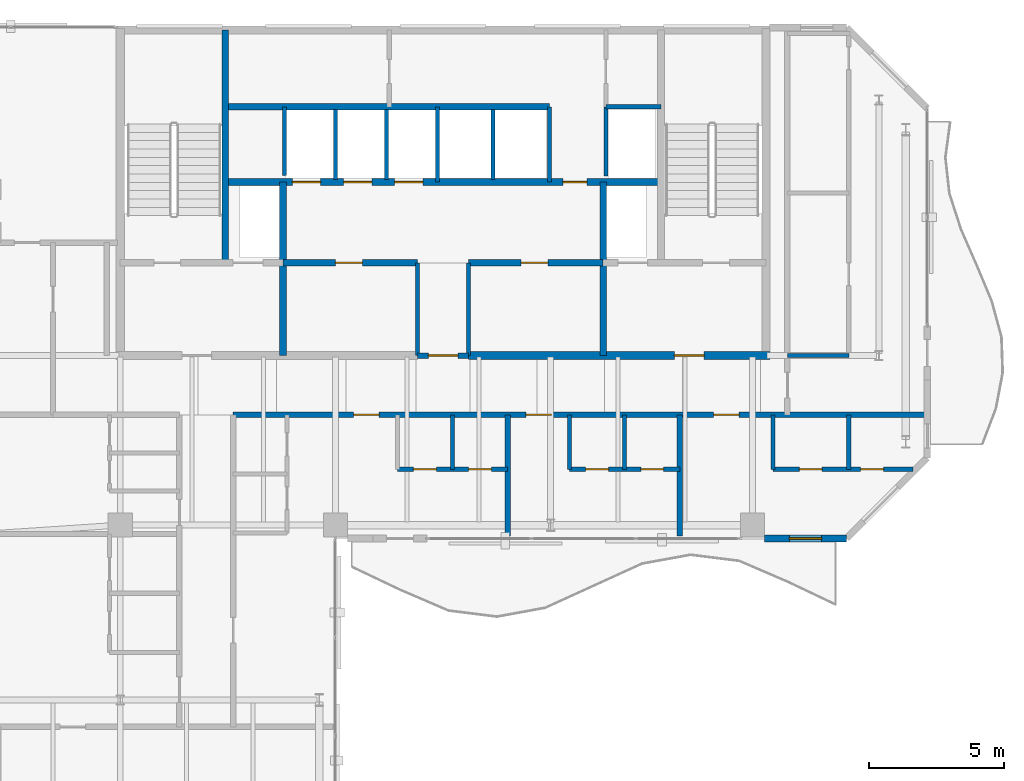
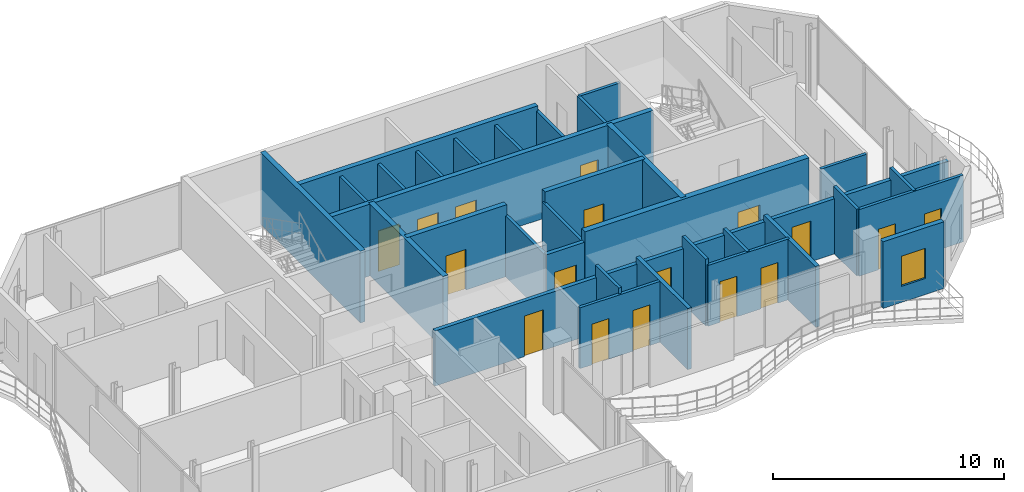
# One storey, part 19 of 22: 32 walls, 17 doors, 1 window, 18 openings.
"""IFC4 building model written with IfcOpenShell, lengths in metres."""

from ifc_helpers import new_model, si_unit, direction, frame, frame_2d, origin, place, context, subcontext, project, spatial, rectangle, extrude, material, layer, layer_set, type_object, element, fill, save


model = new_model("IFC4")

# Units and contexts
model_context = context("Model", 3, precision=1e-05, world=origin(), true_north=direction((0.0, 1.0)))
body_context = subcontext(model_context, "Body", "Model", "MODEL_VIEW")
ifc_project = project(units=[si_unit("LENGTHUNIT", "METRE"), si_unit("AREAUNIT", "SQUARE_METRE"), si_unit("VOLUMEUNIT", "CUBIC_METRE"), si_unit("PLANEANGLEUNIT", "RADIAN"), si_unit("MASSUNIT", "GRAM", prefix="KILO")], contexts=[model_context])

# Site, building, storey
site_placement = place(None, origin())
site = spatial("IfcSite", under=ifc_project, at=site_placement, CompositionType="ELEMENT")
building_placement = place(site_placement, origin())
building = spatial("IfcBuilding", under=site, at=building_placement, Name="Catumbela Crestline Tower", CompositionType="ELEMENT")
storey_placement = place(building_placement, frame((0.0, 0.0, 233.6)))
storey = spatial("IfcBuildingStorey", under=building, at=storey_placement, Name="L60", CompositionType="ELEMENT", Elevation=233.6)

# Walls
ifc_material_1 = material(Name="Concrete C50/60", Category="concrete")
ifc_layer_1 = layer(ifc_material_1, 0.25, Name="Concrete C50/60")
ifc_layer_set_1 = layer_set([ifc_layer_1], Name="Concrete C50/60")
wall_type_1 = type_object("IfcWallType", Name="CW-250D", PredefinedType="SHEAR", material=ifc_layer_set_1)
wall_1_placement = place(storey_placement, frame((19.9, 34.25, 0.0), z_axis=(0.0, 0.0, 1.0), x_axis=(0.0, 1.0, 0.0)))
element("IfcWall", 1, at=wall_1_placement, inside=storey, type_object=wall_type_1, Name="L60 Structural Core Shear Wall WWEB", PredefinedType="SHEAR", context=body_context, shape_type="SweptSolid", body=[
    extrude(rectangle(XDim=8.65, YDim=0.25, at=frame_2d((4.325, 0.0))), origin(), (0.0, 0.0, 1.0), 3.8),
])
for number, where, z_axis, x_axis, name in (
    (2, (22.05, 30.8, 0.0), (0.0, 0.0, 1.0), (0.0, 1.0, 0.0), "L60 Structural Core Shear Wall FFW"),
    (3, (33.95, 30.8, 0.0), (0.0, 0.0, 1.0), (0.0, 1.0, 0.0), "L60 Structural Core Shear Wall FFE"),
):
    element("IfcWall", number, at=place(storey_placement, frame(where, z_axis=z_axis, x_axis=x_axis)), inside=storey, type_object=wall_type_1, Name=name, PredefinedType="SHEAR", context=body_context, shape_type="SweptSolid", body=[
        extrude(rectangle(XDim=6.45, YDim=0.25, at=frame_2d((3.225, 0.0))), origin(), (0.0, 0.0, 1.0), 3.8),
    ])

# Wall, opening, door
wall_2_placement = place(storey_placement, frame((22.05, 34.25, 0.0), z_axis=(0.0, 0.0, 1.0), x_axis=(1.0, 0.0, 0.0)))
wall_2 = element("IfcWall", 4, at=wall_2_placement, inside=storey, type_object=wall_type_1, Name="L60 Structural Core Shear Wall LIFTS-W", PredefinedType="SHEAR", context=body_context, shape_type="SweptSolid", body=[
    extrude(rectangle(XDim=5.0, YDim=0.25, at=frame_2d((2.5, 0.0))), origin(), (0.0, 0.0, 1.0), 3.8),
])
opening_1_placement = place(wall_2_placement, frame((1.95, 0.0, 0.0)))
opening_1 = element("IfcOpeningElement", 5, at=opening_1_placement, cuts=wall_2, Name="Opening DF9-100", PredefinedType="OPENING", context=body_context, shape_type="SweptSolid", body=[
    extrude(rectangle(XDim=1.0, YDim=2.15, at=frame_2d((0.5, 1.075))), frame((0.0, 0.135, 0.0), z_axis=(0.0, -1.0, 0.0), x_axis=(1.0, 0.0, 0.0)), (0.0, 0.0, 1.0), 0.27),
])
ifc_material_2 = material(Name="Stainless steel EN 1.4401", Category="steel")
door_type_1 = type_object("IfcDoorType", Name="DF9-100", OperationType="NOTDEFINED", PredefinedType="DOOR", material=ifc_material_2)
door_1_placement = place(opening_1_placement, origin())
door_1 = element("IfcDoor", 6, at=door_1_placement, inside=storey, type_object=door_type_1, Name="L60 Interior Door DR-L60-RECL1", OperationType="SINGLE_SWING_LEFT", OverallHeight=2.15, OverallWidth=1.0, PredefinedType="DOOR", context=body_context, shape_type="SweptSolid", body=[
    extrude(rectangle(XDim=1.0, YDim=2.15, at=frame_2d((0.5, 1.075))), frame((0.0, 0.025, 0.0), z_axis=(0.0, -1.0, 0.0), x_axis=(1.0, 0.0, 0.0)), (0.0, 0.0, 1.0), 0.05),
])
fill(opening_1, door_1)

wall_3_placement = place(storey_placement, frame((28.95, 34.25, 0.0), z_axis=(0.0, 0.0, 1.0), x_axis=(1.0, 0.0, 0.0)))
wall_3 = element("IfcWall", 7, at=wall_3_placement, inside=storey, type_object=wall_type_1, Name="L60 Structural Core Shear Wall LIFTS-E", PredefinedType="SHEAR", context=body_context, shape_type="SweptSolid", body=[
    extrude(rectangle(XDim=5.0, YDim=0.25, at=frame_2d((2.5, 0.0))), origin(), (0.0, 0.0, 1.0), 3.8),
])
opening_2_placement = place(wall_3_placement, frame((1.95, 0.0, 0.0)))
opening_2 = element("IfcOpeningElement", 8, at=opening_2_placement, cuts=wall_3, Name="Opening DF9-100", PredefinedType="OPENING", context=body_context, shape_type="SweptSolid", body=[
    extrude(rectangle(XDim=1.0, YDim=2.15, at=frame_2d((0.5, 1.075))), frame((0.0, 0.135, 0.0), z_axis=(0.0, -1.0, 0.0), x_axis=(1.0, 0.0, 0.0)), (0.0, 0.0, 1.0), 0.27),
])
door_2_placement = place(opening_2_placement, origin())
door_2 = element("IfcDoor", 9, at=door_2_placement, inside=storey, type_object=door_type_1, Name="L60 Interior Door DR-L60-RECL2", OperationType="SINGLE_SWING_RIGHT", OverallHeight=2.15, OverallWidth=1.0, PredefinedType="DOOR", context=body_context, shape_type="SweptSolid", body=[
    extrude(rectangle(XDim=1.0, YDim=2.15, at=frame_2d((0.5, 1.075))), frame((0.0, 0.025, 0.0), z_axis=(0.0, -1.0, 0.0), x_axis=(1.0, 0.0, 0.0)), (0.0, 0.0, 1.0), 0.05),
])
fill(opening_2, door_2)

# Wall, openings, doors
wall_4_placement = place(storey_placement, frame((19.9, 37.25, 0.0), z_axis=(0.0, 0.0, 1.0), x_axis=(1.0, 0.0, 0.0)))
wall_4 = element("IfcWall", 10, at=wall_4_placement, inside=storey, type_object=wall_type_1, Name="L60 Structural Core Shear Wall LIFTN", PredefinedType="SHEAR", context=body_context, shape_type="SweptSolid", body=[
    extrude(rectangle(XDim=16.2, YDim=0.25, at=frame_2d((8.1, 0.0))), origin(), (0.0, 0.0, 1.0), 3.8),
])
opening_3_placement = place(wall_4_placement, frame((12.55, 0.0, 0.0)))
opening_3 = element("IfcOpeningElement", 11, at=opening_3_placement, cuts=wall_4, Name="Opening DF9-090", PredefinedType="OPENING", context=body_context, shape_type="SweptSolid", body=[
    extrude(rectangle(XDim=0.9, YDim=2.15, at=frame_2d((0.45, 1.075))), frame((0.0, 0.135, 0.0), z_axis=(0.0, -1.0, 0.0), x_axis=(1.0, 0.0, 0.0)), (0.0, 0.0, 1.0), 0.27),
])
opening_4_placement = place(wall_4_placement, frame((2.5, 0.0, 0.0)))
opening_4 = element("IfcOpeningElement", 12, at=opening_4_placement, cuts=wall_4, Name="Opening LD-105", PredefinedType="OPENING", context=body_context, shape_type="SweptSolid", body=[
    extrude(rectangle(XDim=1.05, YDim=2.15, at=frame_2d((0.525, 1.075))), frame((0.0, 0.135, 0.0), z_axis=(0.0, -1.0, 0.0), x_axis=(1.0, 0.0, 0.0)), (0.0, 0.0, 1.0), 0.27),
])
opening_5_placement = place(wall_4_placement, frame((4.4, 0.0, 0.0)))
opening_5 = element("IfcOpeningElement", 13, at=opening_5_placement, cuts=wall_4, Name="Opening LD-105", PredefinedType="OPENING", context=body_context, shape_type="SweptSolid", body=[
    extrude(rectangle(XDim=1.05, YDim=2.15, at=frame_2d((0.525, 1.075))), frame((0.0, 0.135, 0.0), z_axis=(0.0, -1.0, 0.0), x_axis=(1.0, 0.0, 0.0)), (0.0, 0.0, 1.0), 0.27),
])
opening_6_placement = place(wall_4_placement, frame((6.3, 0.0, 0.0)))
opening_6 = element("IfcOpeningElement", 14, at=opening_6_placement, cuts=wall_4, Name="Opening LD-105", PredefinedType="OPENING", context=body_context, shape_type="SweptSolid", body=[
    extrude(rectangle(XDim=1.05, YDim=2.15, at=frame_2d((0.525, 1.075))), frame((0.0, 0.135, 0.0), z_axis=(0.0, -1.0, 0.0), x_axis=(1.0, 0.0, 0.0)), (0.0, 0.0, 1.0), 0.27),
])
door_type_2 = type_object("IfcDoorType", Name="DF9-090", OperationType="NOTDEFINED", PredefinedType="DOOR", material=ifc_material_2)
door_3_placement = place(opening_3_placement, origin())
door_3 = element("IfcDoor", 15, at=door_3_placement, inside=storey, type_object=door_type_2, Name="L60 Interior Door DR-L60-CPAS1", OperationType="SINGLE_SWING_LEFT", OverallHeight=2.15, OverallWidth=0.9, PredefinedType="DOOR", context=body_context, shape_type="SweptSolid", body=[
    extrude(rectangle(XDim=0.9, YDim=2.15, at=frame_2d((0.45, 1.075))), frame((0.0, 0.025, 0.0), z_axis=(0.0, -1.0, 0.0), x_axis=(1.0, 0.0, 0.0)), (0.0, 0.0, 1.0), 0.05),
])
fill(opening_3, door_3)
door_type_3 = type_object("IfcDoorType", Name="LD-105", OperationType="NOTDEFINED", PredefinedType="DOOR", material=ifc_material_2)
door_4_placement = place(opening_4_placement, origin())
door_4 = element("IfcDoor", 16, at=door_4_placement, inside=storey, type_object=door_type_3, Name="L60 Lift Landing Sliding Door PL-H1", OperationType="DOUBLE_DOOR_SLIDING", OverallHeight=2.15, OverallWidth=1.05, PredefinedType="DOOR", context=body_context, shape_type="SweptSolid", body=[
    extrude(rectangle(XDim=1.05, YDim=2.15, at=frame_2d((0.525, 1.075))), frame((0.0, 0.025, 0.0), z_axis=(0.0, -1.0, 0.0), x_axis=(1.0, 0.0, 0.0)), (0.0, 0.0, 1.0), 0.05),
])
fill(opening_4, door_4)
door_5_placement = place(opening_5_placement, origin())
door_5 = element("IfcDoor", 17, at=door_5_placement, inside=storey, type_object=door_type_3, Name="L60 Lift Landing Sliding Door PL-H2", OperationType="DOUBLE_DOOR_SLIDING", OverallHeight=2.15, OverallWidth=1.05, PredefinedType="DOOR", context=body_context, shape_type="SweptSolid", body=[
    extrude(rectangle(XDim=1.05, YDim=2.15, at=frame_2d((0.525, 1.075))), frame((0.0, 0.025, 0.0), z_axis=(0.0, -1.0, 0.0), x_axis=(1.0, 0.0, 0.0)), (0.0, 0.0, 1.0), 0.05),
])
fill(opening_5, door_5)
door_6_placement = place(opening_6_placement, origin())
door_6 = element("IfcDoor", 18, at=door_6_placement, inside=storey, type_object=door_type_3, Name="L60 Lift Landing Sliding Door PL-H3", OperationType="DOUBLE_DOOR_SLIDING", OverallHeight=2.15, OverallWidth=1.05, PredefinedType="DOOR", context=body_context, shape_type="SweptSolid", body=[
    extrude(rectangle(XDim=1.05, YDim=2.15, at=frame_2d((0.525, 1.075))), frame((0.0, 0.025, 0.0), z_axis=(0.0, -1.0, 0.0), x_axis=(1.0, 0.0, 0.0)), (0.0, 0.0, 1.0), 0.05),
])
fill(opening_6, door_6)

# Wall
wall_5_placement = place(storey_placement, frame((19.9, 40.05, 0.0), z_axis=(0.0, 0.0, 1.0), x_axis=(1.0, 0.0, 0.0)))
element("IfcWall", 19, at=wall_5_placement, inside=storey, type_object=wall_type_1, Name="L60 Structural Core Shear Wall COREN", PredefinedType="SHEAR", context=body_context, shape_type="SweptSolid", body=[
    extrude(rectangle(XDim=12.05, YDim=0.25, at=frame_2d((6.025, 0.0))), origin(), (0.0, 0.0, 1.0), 3.8),
])

# Wall, opening, door
ifc_material_3 = material(Name="Concrete C45/55", Category="concrete")
ifc_layer_2 = layer(ifc_material_3, 0.3, Name="Concrete C45/55")
ifc_layer_set_2 = layer_set([ifc_layer_2], Name="Concrete C45/55")
wall_type_2 = type_object("IfcWallType", Name="CW-300C", PredefinedType="SHEAR", material=ifc_layer_set_2)
wall_6_placement = place(storey_placement, frame((28.95, 30.8, 0.0), z_axis=(0.0, 0.0, 1.0), x_axis=(1.0, 0.0, 0.0)))
wall_6 = element("IfcWall", 20, at=wall_6_placement, inside=storey, type_object=wall_type_2, Name="L60 Structural Core Shear Wall SE", PredefinedType="SHEAR", context=body_context, shape_type="SweptSolid", body=[
    extrude(rectangle(XDim=11.2, YDim=0.3, at=frame_2d((5.6, 0.0))), origin(), (0.0, 0.0, 1.0), 3.8),
])
opening_7_placement = place(wall_6_placement, frame((7.65, 0.0, 0.0)))
opening_7 = element("IfcOpeningElement", 21, at=opening_7_placement, cuts=wall_6, Name="Opening DF9-110", PredefinedType="OPENING", context=body_context, shape_type="SweptSolid", body=[
    extrude(rectangle(XDim=1.1, YDim=2.15, at=frame_2d((0.55, 1.075))), frame((0.0, 0.16, 0.0), z_axis=(0.0, -1.0, 0.0), x_axis=(1.0, 0.0, 0.0)), (0.0, 0.0, 1.0), 0.32),
])
door_type_4 = type_object("IfcDoorType", Name="DF9-110", OperationType="NOTDEFINED", PredefinedType="DOOR", material=ifc_material_2)
door_7_placement = place(opening_7_placement, origin())
door_7 = element("IfcDoor", 22, at=door_7_placement, inside=storey, type_object=door_type_4, Name="L60 Interior Door DR-L60-FFE-S", OperationType="SINGLE_SWING_RIGHT", OverallHeight=2.15, OverallWidth=1.1, PredefinedType="DOOR", context=body_context, shape_type="SweptSolid", body=[
    extrude(rectangle(XDim=1.1, YDim=2.15, at=frame_2d((0.55, 1.075))), frame((0.0, 0.025, 0.0), z_axis=(0.0, -1.0, 0.0), x_axis=(1.0, 0.0, 0.0)), (0.0, 0.0, 1.0), 0.05),
])
fill(opening_7, door_7)

ifc_material_4 = material(Name="Acoustic gypsum and mineral-wool partition")
ifc_layer_3 = layer(ifc_material_4, 0.2, Name="Acoustic gypsum and mineral-wool partition")
ifc_layer_set_3 = layer_set([ifc_layer_3], Name="Acoustic gypsum and mineral-wool partition")
wall_type_3 = type_object("IfcWallType", Name="WC-200", PredefinedType="PARTITIONING", material=ifc_layer_set_3)
wall_7_placement = place(storey_placement, frame((27.05, 30.8, 0.0), z_axis=(0.0, 0.0, 1.0), x_axis=(1.0, 0.0, 0.0)))
wall_7 = element("IfcWall", 23, at=wall_7_placement, inside=storey, type_object=wall_type_3, Name="L60 Interior Partition PW-L60-CLOBS", PredefinedType="PARTITIONING", context=body_context, shape_type="SweptSolid", body=[
    extrude(rectangle(XDim=1.9, YDim=0.2, at=frame_2d((0.95, 0.0))), origin(), (0.0, 0.0, 1.0), 3.22),
])
opening_8_placement = place(wall_7_placement, frame((0.4, 0.0, 0.0)))
opening_8 = element("IfcOpeningElement", 24, at=opening_8_placement, cuts=wall_7, Name="Opening DF9-110", PredefinedType="OPENING", context=body_context, shape_type="SweptSolid", body=[
    extrude(rectangle(XDim=1.1, YDim=2.15, at=frame_2d((0.55, 1.075))), frame((0.0, 0.11, 0.0), z_axis=(0.0, -1.0, 0.0), x_axis=(1.0, 0.0, 0.0)), (0.0, 0.0, 1.0), 0.22),
])
door_8_placement = place(opening_8_placement, origin())
door_8 = element("IfcDoor", 25, at=door_8_placement, inside=storey, type_object=door_type_4, Name="L60 Interior Door DR-L60-CLOBS", OperationType="SINGLE_SWING_LEFT", OverallHeight=2.15, OverallWidth=1.1, PredefinedType="DOOR", context=body_context, shape_type="SweptSolid", body=[
    extrude(rectangle(XDim=1.1, YDim=2.15, at=frame_2d((0.55, 1.075))), frame((0.0, 0.025, 0.0), z_axis=(0.0, -1.0, 0.0), x_axis=(1.0, 0.0, 0.0)), (0.0, 0.0, 1.0), 0.05),
])
fill(opening_8, door_8)

# Wall, openings, doors
wall_8_placement = place(storey_placement, frame((20.2, 28.6, 0.0), z_axis=(0.0, 0.0, 1.0), x_axis=(1.0, 0.0, 0.0)))
wall_8 = element("IfcWall", 26, at=wall_8_placement, inside=storey, type_object=wall_type_3, Name="L60 Interior Partition PW-L60-RCWR", PredefinedType="PARTITIONING", context=body_context, shape_type="SweptSolid", body=[
    extrude(rectangle(XDim=25.7, YDim=0.2, at=frame_2d((12.85, 0.0))), origin(), (0.0, 0.0, 1.0), 2.92),
])
opening_9_placement = place(wall_8_placement, frame((4.475, 0.0, 0.0)))
opening_9 = element("IfcOpeningElement", 27, at=opening_9_placement, cuts=wall_8, Name="Opening DF6-095", PredefinedType="OPENING", context=body_context, shape_type="SweptSolid", body=[
    extrude(rectangle(XDim=0.95, YDim=2.15, at=frame_2d((0.475, 1.075))), frame((0.0, 0.11, 0.0), z_axis=(0.0, -1.0, 0.0), x_axis=(1.0, 0.0, 0.0)), (0.0, 0.0, 1.0), 0.22),
])
opening_10_placement = place(wall_8_placement, frame((10.875, 0.0, 0.0)))
opening_10 = element("IfcOpeningElement", 28, at=opening_10_placement, cuts=wall_8, Name="Opening DF6-095", PredefinedType="OPENING", context=body_context, shape_type="SweptSolid", body=[
    extrude(rectangle(XDim=0.95, YDim=2.15, at=frame_2d((0.475, 1.075))), frame((0.0, 0.11, 0.0), z_axis=(0.0, -1.0, 0.0), x_axis=(1.0, 0.0, 0.0)), (0.0, 0.0, 1.0), 0.22),
])
opening_11_placement = place(wall_8_placement, frame((17.854, 0.0, 0.0)))
opening_11 = element("IfcOpeningElement", 29, at=opening_11_placement, cuts=wall_8, Name="Opening DF6-095", PredefinedType="OPENING", context=body_context, shape_type="SweptSolid", body=[
    extrude(rectangle(XDim=0.95, YDim=2.15, at=frame_2d((0.475, 1.075))), frame((0.0, 0.11, 0.0), z_axis=(0.0, -1.0, 0.0), x_axis=(1.0, 0.0, 0.0)), (0.0, 0.0, 1.0), 0.22),
])
ifc_material_5 = material(Name="Aluminium alloy AW-6060-T66", Category="aluminium")
door_type_5 = type_object("IfcDoorType", Name="DF6-095", OperationType="NOTDEFINED", PredefinedType="DOOR", material=ifc_material_5)
door_9_placement = place(opening_9_placement, origin())
door_9 = element("IfcDoor", 30, at=door_9_placement, inside=storey, type_object=door_type_5, Name="L60 Interior Door DR-L60-S1-ENT", OperationType="SINGLE_SWING_LEFT", OverallHeight=2.15, OverallWidth=0.95, PredefinedType="DOOR", context=body_context, shape_type="SweptSolid", body=[
    extrude(rectangle(XDim=0.95, YDim=2.15, at=frame_2d((0.475, 1.075))), frame((0.0, 0.025, 0.0), z_axis=(0.0, -1.0, 0.0), x_axis=(1.0, 0.0, 0.0)), (0.0, 0.0, 1.0), 0.05),
])
fill(opening_9, door_9)
door_10_placement = place(opening_10_placement, origin())
door_10 = element("IfcDoor", 31, at=door_10_placement, inside=storey, type_object=door_type_5, Name="L60 Interior Door DR-L60-S2-ENT", OperationType="SINGLE_SWING_RIGHT", OverallHeight=2.15, OverallWidth=0.95, PredefinedType="DOOR", context=body_context, shape_type="SweptSolid", body=[
    extrude(rectangle(XDim=0.95, YDim=2.15, at=frame_2d((0.475, 1.075))), frame((0.0, 0.025, 0.0), z_axis=(0.0, -1.0, 0.0), x_axis=(1.0, 0.0, 0.0)), (0.0, 0.0, 1.0), 0.05),
])
fill(opening_10, door_10)
door_11_placement = place(opening_11_placement, origin())
door_11 = element("IfcDoor", 32, at=door_11_placement, inside=storey, type_object=door_type_5, Name="L60 Interior Door DR-L60-S3-ENT", OperationType="SINGLE_SWING_LEFT", OverallHeight=2.15, OverallWidth=0.95, PredefinedType="DOOR", context=body_context, shape_type="SweptSolid", body=[
    extrude(rectangle(XDim=0.95, YDim=2.15, at=frame_2d((0.475, 1.075))), frame((0.0, 0.025, 0.0), z_axis=(0.0, -1.0, 0.0), x_axis=(1.0, 0.0, 0.0)), (0.0, 0.0, 1.0), 0.05),
])
fill(opening_11, door_11)

# Wall, opening, window
ifc_material_6 = material(Name="Angolan grey-ochre granite", Category="masonry")
ifc_layer_4 = layer(ifc_material_6, 0.25, Name="Angolan grey-ochre granite")
ifc_layer_set_4 = layer_set([ifc_layer_4], Name="Angolan grey-ochre granite")
wall_type_4 = type_object("IfcWallType", Name="WE-250", PredefinedType="STANDARD", material=ifc_layer_set_4)
wall_9_placement = place(storey_placement, frame((39.95, 24.0, 0.0), z_axis=(0.0, 0.0, 1.0), x_axis=(1.0, 0.0, 0.0)))
wall_9 = element("IfcWall", 33, at=wall_9_placement, inside=storey, type_object=wall_type_4, Name="L60 Granite Punched Window Wall 3-3", PredefinedType="STANDARD", context=body_context, shape_type="SweptSolid", body=[
    extrude(rectangle(XDim=3.05, YDim=0.25, at=frame_2d((1.525, 0.0))), origin(), (0.0, 0.0, 1.0), 3.53),
])
opening_12_placement = place(wall_9_placement, frame((0.925, 0.0, 0.85)))
opening_12 = element("IfcOpeningElement", 34, at=opening_12_placement, cuts=wall_9, Name="Opening WN-02", PredefinedType="OPENING", context=body_context, shape_type="SweptSolid", body=[
    extrude(rectangle(XDim=1.2, YDim=1.6, at=frame_2d((0.6, 0.8))), frame((0.0, 0.135, 0.0), z_axis=(0.0, -1.0, 0.0), x_axis=(1.0, 0.0, 0.0)), (0.0, 0.0, 1.0), 0.27),
])
ifc_material_7 = material(Name="Low-E laminated solar-control double glazing", Category="glass")
window_type = type_object("IfcWindowType", Name="WO-1200", PartitioningType="SINGLE_PANEL", PredefinedType="WINDOW", material=ifc_material_7)
window_placement = place(opening_12_placement, origin())
window = element("IfcWindow", 35, at=window_placement, inside=storey, type_object=window_type, Name="L60 Facade Vision Window 432", OverallHeight=1.6, OverallWidth=1.2, PartitioningType="SINGLE_PANEL", PredefinedType="WINDOW", context=body_context, shape_type="SweptSolid", body=[
    extrude(rectangle(XDim=1.2, YDim=1.6, at=frame_2d((0.6, 0.8))), frame((0.0, 0.03, 0.0), z_axis=(0.0, -1.0, 0.0), x_axis=(1.0, 0.0, 0.0)), (0.0, 0.0, 1.0), 0.06),
])
fill(opening_12, window)

# Walls
ifc_layer_5 = layer(ifc_material_4, 0.15, Name="Acoustic gypsum and mineral-wool partition")
ifc_layer_set_5 = layer_set([ifc_layer_5], Name="Acoustic gypsum and mineral-wool partition")
wall_type_5 = type_object("IfcWallType", Name="WP-150", PredefinedType="PARTITIONING", material=ifc_layer_set_5)
wall_10_placement = place(storey_placement, frame((34.05, 40.05, 0.0), z_axis=(0.0, 0.0, 1.0), x_axis=(1.0, 0.0, 0.0)))
element("IfcWall", 36, at=wall_10_placement, inside=storey, type_object=wall_type_5, Name="L60 Interior Partition PW-L60-CR-ES", PredefinedType="PARTITIONING", context=body_context, shape_type="SweptSolid", body=[
    extrude(rectangle(XDim=2.05, YDim=0.15, at=frame_2d((1.025, 0.0))), origin(), (0.0, 0.0, 1.0), 3.53),
])
wall_11_placement = place(storey_placement, frame((40.8, 30.8, 0.0), z_axis=(0.0, 0.0, 1.0), x_axis=(1.0, 0.0, 0.0)))
element("IfcWall", 37, at=wall_11_placement, inside=storey, type_object=wall_type_5, Name="L60 Interior Partition PW-L60-NE1-KBS", PredefinedType="PARTITIONING", context=body_context, shape_type="SweptSolid", body=[
    extrude(rectangle(XDim=2.28, YDim=0.15, at=frame_2d((1.14, 0.0))), origin(), (0.0, 0.0, 1.0), 2.92),
])
wall_12_placement = place(storey_placement, frame((28.35, 26.576, 0.0), z_axis=(0.0, 0.0, 1.0), x_axis=(0.0, 1.0, 0.0)))
element("IfcWall", 38, at=wall_12_placement, inside=storey, type_object=wall_type_5, Name="L60 Interior Partition PW-L60-S1-KBM", PredefinedType="PARTITIONING", context=body_context, shape_type="SweptSolid", body=[
    extrude(rectangle(XDim=2.024, YDim=0.15, at=frame_2d((1.012, 0.0))), origin(), (0.0, 0.0, 1.0), 3.53),
])

# Wall, openings, doors
wall_13_placement = place(storey_placement, frame((26.3, 26.576, 0.0), z_axis=(0.0, 0.0, 1.0), x_axis=(1.0, 0.0, 0.0)))
wall_13 = element("IfcWall", 39, at=wall_13_placement, inside=storey, type_object=wall_type_5, Name="L60 Interior Partition PW-L60-S1-KBD1", PredefinedType="PARTITIONING", context=body_context, shape_type="SweptSolid", body=[
    extrude(rectangle(XDim=4.1, YDim=0.15, at=frame_2d((2.05, 0.0))), origin(), (0.0, 0.0, 1.0), 3.22),
])
opening_13_placement = place(wall_13_placement, frame((0.6, 0.0, 0.0)))
opening_13 = element("IfcOpeningElement", 40, at=opening_13_placement, cuts=wall_13, Name="Opening DI-085", PredefinedType="OPENING", context=body_context, shape_type="SweptSolid", body=[
    extrude(rectangle(XDim=0.85, YDim=2.15, at=frame_2d((0.425, 1.075))), frame((0.0, 0.085, 0.0), z_axis=(0.0, -1.0, 0.0), x_axis=(1.0, 0.0, 0.0)), (0.0, 0.0, 1.0), 0.17),
])
opening_14_placement = place(wall_13_placement, frame((2.65, 0.0, 0.0)))
opening_14 = element("IfcOpeningElement", 41, at=opening_14_placement, cuts=wall_13, Name="Opening DI-085", PredefinedType="OPENING", context=body_context, shape_type="SweptSolid", body=[
    extrude(rectangle(XDim=0.85, YDim=2.15, at=frame_2d((0.425, 1.075))), frame((0.0, 0.085, 0.0), z_axis=(0.0, -1.0, 0.0), x_axis=(1.0, 0.0, 0.0)), (0.0, 0.0, 1.0), 0.17),
])
door_type_6 = type_object("IfcDoorType", Name="DI-085", OperationType="NOTDEFINED", PredefinedType="DOOR", material=ifc_material_5)
door_12_placement = place(opening_13_placement, origin())
door_12 = element("IfcDoor", 42, at=door_12_placement, inside=storey, type_object=door_type_6, Name="L60 Interior Door DR-L60-S1-BTH", OperationType="SINGLE_SWING_LEFT", OverallHeight=2.15, OverallWidth=0.85, PredefinedType="DOOR", context=body_context, shape_type="SweptSolid", body=[
    extrude(rectangle(XDim=0.85, YDim=2.15, at=frame_2d((0.425, 1.075))), frame((0.0, 0.025, 0.0), z_axis=(0.0, -1.0, 0.0), x_axis=(1.0, 0.0, 0.0)), (0.0, 0.0, 1.0), 0.05),
])
fill(opening_13, door_12)
door_13_placement = place(opening_14_placement, origin())
door_13 = element("IfcDoor", 43, at=door_13_placement, inside=storey, type_object=door_type_6, Name="L60 Interior Door DR-L60-S1-KIT", OperationType="SINGLE_SWING_RIGHT", OverallHeight=2.15, OverallWidth=0.85, PredefinedType="DOOR", context=body_context, shape_type="SweptSolid", body=[
    extrude(rectangle(XDim=0.85, YDim=2.15, at=frame_2d((0.425, 1.075))), frame((0.0, 0.025, 0.0), z_axis=(0.0, -1.0, 0.0), x_axis=(1.0, 0.0, 0.0)), (0.0, 0.0, 1.0), 0.05),
])
fill(opening_14, door_13)

# Walls
wall_14_placement = place(storey_placement, frame((32.7, 26.576, 0.0), z_axis=(0.0, 0.0, 1.0), x_axis=(0.0, 1.0, 0.0)))
element("IfcWall", 44, at=wall_14_placement, inside=storey, type_object=wall_type_5, Name="L60 Interior Partition PW-L60-S2-KBW", PredefinedType="PARTITIONING", context=body_context, shape_type="SweptSolid", body=[
    extrude(rectangle(XDim=2.024, YDim=0.15, at=frame_2d((1.012, 0.0))), origin(), (0.0, 0.0, 1.0), 3.53),
])
wall_15_placement = place(storey_placement, frame((34.75, 26.576, 0.0), z_axis=(0.0, 0.0, 1.0), x_axis=(0.0, 1.0, 0.0)))
element("IfcWall", 45, at=wall_15_placement, inside=storey, type_object=wall_type_5, Name="L60 Interior Partition PW-L60-S2-KBM", PredefinedType="PARTITIONING", context=body_context, shape_type="SweptSolid", body=[
    extrude(rectangle(XDim=2.024, YDim=0.15, at=frame_2d((1.012, 0.0))), origin(), (0.0, 0.0, 1.0), 3.22),
])

# Wall, openings, doors
wall_16_placement = place(storey_placement, frame((32.7, 26.576, 0.0), z_axis=(0.0, 0.0, 1.0), x_axis=(1.0, 0.0, 0.0)))
wall_16 = element("IfcWall", 46, at=wall_16_placement, inside=storey, type_object=wall_type_5, Name="L60 Interior Partition PW-L60-S2-KBD1", PredefinedType="PARTITIONING", context=body_context, shape_type="SweptSolid", body=[
    extrude(rectangle(XDim=4.1, YDim=0.15, at=frame_2d((2.05, 0.0))), origin(), (0.0, 0.0, 1.0), 3.22),
])
opening_15_placement = place(wall_16_placement, frame((0.6, 0.0, 0.0)))
opening_15 = element("IfcOpeningElement", 47, at=opening_15_placement, cuts=wall_16, Name="Opening DI-085", PredefinedType="OPENING", context=body_context, shape_type="SweptSolid", body=[
    extrude(rectangle(XDim=0.85, YDim=2.15, at=frame_2d((0.425, 1.075))), frame((0.0, 0.085, 0.0), z_axis=(0.0, -1.0, 0.0), x_axis=(1.0, 0.0, 0.0)), (0.0, 0.0, 1.0), 0.17),
])
opening_16_placement = place(wall_16_placement, frame((2.65, 0.0, 0.0)))
opening_16 = element("IfcOpeningElement", 48, at=opening_16_placement, cuts=wall_16, Name="Opening DI-085", PredefinedType="OPENING", context=body_context, shape_type="SweptSolid", body=[
    extrude(rectangle(XDim=0.85, YDim=2.15, at=frame_2d((0.425, 1.075))), frame((0.0, 0.085, 0.0), z_axis=(0.0, -1.0, 0.0), x_axis=(1.0, 0.0, 0.0)), (0.0, 0.0, 1.0), 0.17),
])
door_14_placement = place(opening_15_placement, origin())
door_14 = element("IfcDoor", 49, at=door_14_placement, inside=storey, type_object=door_type_6, Name="L60 Interior Door DR-L60-S2-BTH", OperationType="SINGLE_SWING_LEFT", OverallHeight=2.15, OverallWidth=0.85, PredefinedType="DOOR", context=body_context, shape_type="SweptSolid", body=[
    extrude(rectangle(XDim=0.85, YDim=2.15, at=frame_2d((0.425, 1.075))), frame((0.0, 0.025, 0.0), z_axis=(0.0, -1.0, 0.0), x_axis=(1.0, 0.0, 0.0)), (0.0, 0.0, 1.0), 0.05),
])
fill(opening_15, door_14)
door_15_placement = place(opening_16_placement, origin())
door_15 = element("IfcDoor", 50, at=door_15_placement, inside=storey, type_object=door_type_6, Name="L60 Interior Door DR-L60-S2-KIT", OperationType="SINGLE_SWING_RIGHT", OverallHeight=2.15, OverallWidth=0.85, PredefinedType="DOOR", context=body_context, shape_type="SweptSolid", body=[
    extrude(rectangle(XDim=0.85, YDim=2.15, at=frame_2d((0.425, 1.075))), frame((0.0, 0.025, 0.0), z_axis=(0.0, -1.0, 0.0), x_axis=(1.0, 0.0, 0.0)), (0.0, 0.0, 1.0), 0.05),
])
fill(opening_16, door_15)

# Walls
for number, where, z_axis, x_axis, name in (
    (51, (40.258, 26.576, 0.0), (0.0, 0.0, 1.0), (0.0, 1.0, 0.0), "L60 Interior Partition PW-L60-S3-KBW"),
    (52, (43.079, 26.576, 0.0), (0.0, 0.0, 1.0), (0.0, 1.0, 0.0), "L60 Interior Partition PW-L60-S3-KBM"),
):
    element("IfcWall", number, at=place(storey_placement, frame(where, z_axis=z_axis, x_axis=x_axis)), inside=storey, type_object=wall_type_5, Name=name, PredefinedType="PARTITIONING", context=body_context, shape_type="SweptSolid", body=[
        extrude(rectangle(XDim=2.024, YDim=0.15, at=frame_2d((1.012, 0.0))), origin(), (0.0, 0.0, 1.0), 3.53),
    ])

# Wall, openings, doors
wall_17_placement = place(storey_placement, frame((40.258, 26.576, 0.0), z_axis=(0.0, 0.0, 1.0), x_axis=(1.0, 0.0, 0.0)))
wall_17 = element("IfcWall", 53, at=wall_17_placement, inside=storey, type_object=wall_type_5, Name="L60 Interior Partition PW-L60-S3-KBD1", PredefinedType="PARTITIONING", context=body_context, shape_type="SweptSolid", body=[
    extrude(rectangle(XDim=5.218, YDim=0.15, at=frame_2d((2.609, 0.0))), origin(), (0.0, 0.0, 1.0), 3.53),
])
opening_17_placement = place(wall_17_placement, frame((0.9855, 0.0, 0.0)))
opening_17 = element("IfcOpeningElement", 54, at=opening_17_placement, cuts=wall_17, Name="Opening DI-085", PredefinedType="OPENING", context=body_context, shape_type="SweptSolid", body=[
    extrude(rectangle(XDim=0.85, YDim=2.15, at=frame_2d((0.425, 1.075))), frame((0.0, 0.085, 0.0), z_axis=(0.0, -1.0, 0.0), x_axis=(1.0, 0.0, 0.0)), (0.0, 0.0, 1.0), 0.17),
])
opening_18_placement = place(wall_17_placement, frame((3.2665, 0.0, 0.0)))
opening_18 = element("IfcOpeningElement", 55, at=opening_18_placement, cuts=wall_17, Name="Opening DI-085", PredefinedType="OPENING", context=body_context, shape_type="SweptSolid", body=[
    extrude(rectangle(XDim=0.85, YDim=2.15, at=frame_2d((0.425, 1.075))), frame((0.0, 0.085, 0.0), z_axis=(0.0, -1.0, 0.0), x_axis=(1.0, 0.0, 0.0)), (0.0, 0.0, 1.0), 0.17),
])
door_16_placement = place(opening_17_placement, origin())
door_16 = element("IfcDoor", 56, at=door_16_placement, inside=storey, type_object=door_type_6, Name="L60 Interior Door DR-L60-S3-BTH", OperationType="SINGLE_SWING_LEFT", OverallHeight=2.15, OverallWidth=0.85, PredefinedType="DOOR", context=body_context, shape_type="SweptSolid", body=[
    extrude(rectangle(XDim=0.85, YDim=2.15, at=frame_2d((0.425, 1.075))), frame((0.0, 0.025, 0.0), z_axis=(0.0, -1.0, 0.0), x_axis=(1.0, 0.0, 0.0)), (0.0, 0.0, 1.0), 0.05),
])
fill(opening_17, door_16)
door_17_placement = place(opening_18_placement, origin())
door_17 = element("IfcDoor", 57, at=door_17_placement, inside=storey, type_object=door_type_6, Name="L60 Interior Door DR-L60-S3-KIT", OperationType="SINGLE_SWING_LEFT", OverallHeight=2.15, OverallWidth=0.85, PredefinedType="DOOR", context=body_context, shape_type="SweptSolid", body=[
    extrude(rectangle(XDim=0.85, YDim=2.15, at=frame_2d((0.425, 1.075))), frame((0.0, 0.025, 0.0), z_axis=(0.0, -1.0, 0.0), x_axis=(1.0, 0.0, 0.0)), (0.0, 0.0, 1.0), 0.05),
])
fill(opening_18, door_17)

# Walls
ifc_layer_6 = layer(ifc_material_4, 0.2, Name="Acoustic gypsum and mineral-wool partition")
ifc_layer_set_6 = layer_set([ifc_layer_6], Name="Acoustic gypsum and mineral-wool partition")
wall_type_6 = type_object("IfcWallType", Name="WY-200", PredefinedType="PARTITIONING", material=ifc_layer_set_6)
wall_18_placement = place(storey_placement, frame((30.4, 24.1, 0.0), z_axis=(0.0, 0.0, 1.0), x_axis=(0.0, 1.0, 0.0)))
element("IfcWall", 58, at=wall_18_placement, inside=storey, type_object=wall_type_6, Name="L60 Interior Partition PW-L60-RSPP-2", PredefinedType="PARTITIONING", context=body_context, shape_type="SweptSolid", body=[
    extrude(rectangle(XDim=4.5, YDim=0.2, at=frame_2d((2.25, 0.0))), origin(), (0.0, 0.0, 1.0), 3.24),
])
wall_19_placement = place(storey_placement, frame((36.8, 24.1, 0.0), z_axis=(0.0, 0.0, 1.0), x_axis=(0.0, 1.0, 0.0)))
element("IfcWall", 59, at=wall_19_placement, inside=storey, type_object=wall_type_6, Name="L60 Interior Partition PW-L60-RSPP-3", PredefinedType="PARTITIONING", context=body_context, shape_type="SweptSolid", body=[
    extrude(rectangle(XDim=4.5, YDim=0.2, at=frame_2d((2.25, 0.0))), origin(), (0.0, 0.0, 1.0), 3.22),
])
ifc_layer_7 = layer(ifc_material_4, 0.15, Name="Acoustic gypsum and mineral-wool partition")
ifc_layer_set_7 = layer_set([ifc_layer_7], Name="Acoustic gypsum and mineral-wool partition")
wall_type_7 = type_object("IfcWallType", Name="WS-150", PredefinedType="PLUMBINGWALL", material=ifc_layer_set_7)
for number, where, z_axis, x_axis, name in (
    (60, (27.05, 30.8, 0.0), (0.0, 0.0, 1.0), (0.0, 1.0, 0.0), "L60 Interior Partition PW-L60-THRW"),
    (61, (28.95, 30.8, 0.0), (0.0, 0.0, 1.0), (0.0, 1.0, 0.0), "L60 Interior Partition PW-L60-THRE"),
):
    element("IfcWall", number, at=place(storey_placement, frame(where, z_axis=z_axis, x_axis=x_axis)), inside=storey, type_object=wall_type_7, Name=name, PredefinedType="PLUMBINGWALL", context=body_context, shape_type="SweptSolid", body=[
        extrude(rectangle(XDim=3.45, YDim=0.15, at=frame_2d((1.725, 0.0))), origin(), (0.0, 0.0, 1.0), 3.22),
    ])
wall_20_placement = place(storey_placement, frame((22.1, 37.4897, 0.0), z_axis=(0.0, 0.0, 1.0), x_axis=(0.0, 1.0, 0.0)))
element("IfcWall", 62, at=wall_20_placement, inside=storey, type_object=wall_type_7, Name="L60 Interior Partition PW-L60-SHH0", PredefinedType="PLUMBINGWALL", context=body_context, shape_type="SweptSolid", body=[
    extrude(rectangle(XDim=2.5603, YDim=0.15, at=frame_2d((1.2801, 0.0))), origin(), (0.0, 0.0, 1.0), 3.53),
])
wall_21_placement = place(storey_placement, frame((27.8, 37.25, 0.0), z_axis=(0.0, 0.0, 1.0), x_axis=(0.0, 1.0, 0.0)))
element("IfcWall", 63, at=wall_21_placement, inside=storey, type_object=wall_type_7, Name="L60 Interior Partition PW-L60-SHH3", PredefinedType="PLUMBINGWALL", context=body_context, shape_type="SweptSolid", body=[
    extrude(rectangle(XDim=2.8, YDim=0.15, at=frame_2d((1.4, 0.0))), origin(), (0.0, 0.0, 1.0), 3.53),
])
for number, where, z_axis, x_axis, name in (
    (64, (24.0, 37.35, 0.0), (0.0, 0.0, 1.0), (0.0, 1.0, 0.0), "L60 Interior Partition PW-L60-SHH1"),
    (65, (25.9, 37.35, 0.0), (0.0, 0.0, 1.0), (0.0, 1.0, 0.0), "L60 Interior Partition PW-L60-SHH2"),
):
    element("IfcWall", number, at=place(storey_placement, frame(where, z_axis=z_axis, x_axis=x_axis)), inside=storey, type_object=wall_type_7, Name=name, PredefinedType="PLUMBINGWALL", context=body_context, shape_type="SweptSolid", body=[
        extrude(rectangle(XDim=2.6, YDim=0.15, at=frame_2d((1.3, 0.0))), origin(), (0.0, 0.0, 1.0), 3.53),
    ])
wall_22_placement = place(storey_placement, frame((31.95, 37.25, 0.0), z_axis=(0.0, 0.0, 1.0), x_axis=(0.0, 1.0, 0.0)))
element("IfcWall", 66, at=wall_22_placement, inside=storey, type_object=wall_type_7, Name="L60 Interior Partition PW-L60-SHEX2E", PredefinedType="PLUMBINGWALL", context=body_context, shape_type="SweptSolid", body=[
    extrude(rectangle(XDim=2.8, YDim=0.15, at=frame_2d((1.4, 0.0))), origin(), (0.0, 0.0, 1.0), 3.53),
])
wall_23_placement = place(storey_placement, frame((29.85, 37.35, 0.0), z_axis=(0.0, 0.0, 1.0), x_axis=(0.0, 1.0, 0.0)))
element("IfcWall", 67, at=wall_23_placement, inside=storey, type_object=wall_type_7, Name="L60 Interior Partition PW-L60-SHEX1", PredefinedType="PLUMBINGWALL", context=body_context, shape_type="SweptSolid", body=[
    extrude(rectangle(XDim=2.6, YDim=0.15, at=frame_2d((1.3, 0.0))), origin(), (0.0, 0.0, 1.0), 3.53),
])
wall_24_placement = place(storey_placement, frame((34.05, 37.4734, 0.0), z_axis=(0.0, 0.0, 1.0), x_axis=(0.0, 1.0, 0.0)))
element("IfcWall", 68, at=wall_24_placement, inside=storey, type_object=wall_type_7, Name="L60 Interior Partition PW-L60-RISW", PredefinedType="PLUMBINGWALL", context=body_context, shape_type="SweptSolid", body=[
    extrude(rectangle(XDim=2.5766, YDim=0.15, at=frame_2d((1.2883, 0.0))), origin(), (0.0, 0.0, 1.0), 3.53),
])

save(model, "model.ifc")
